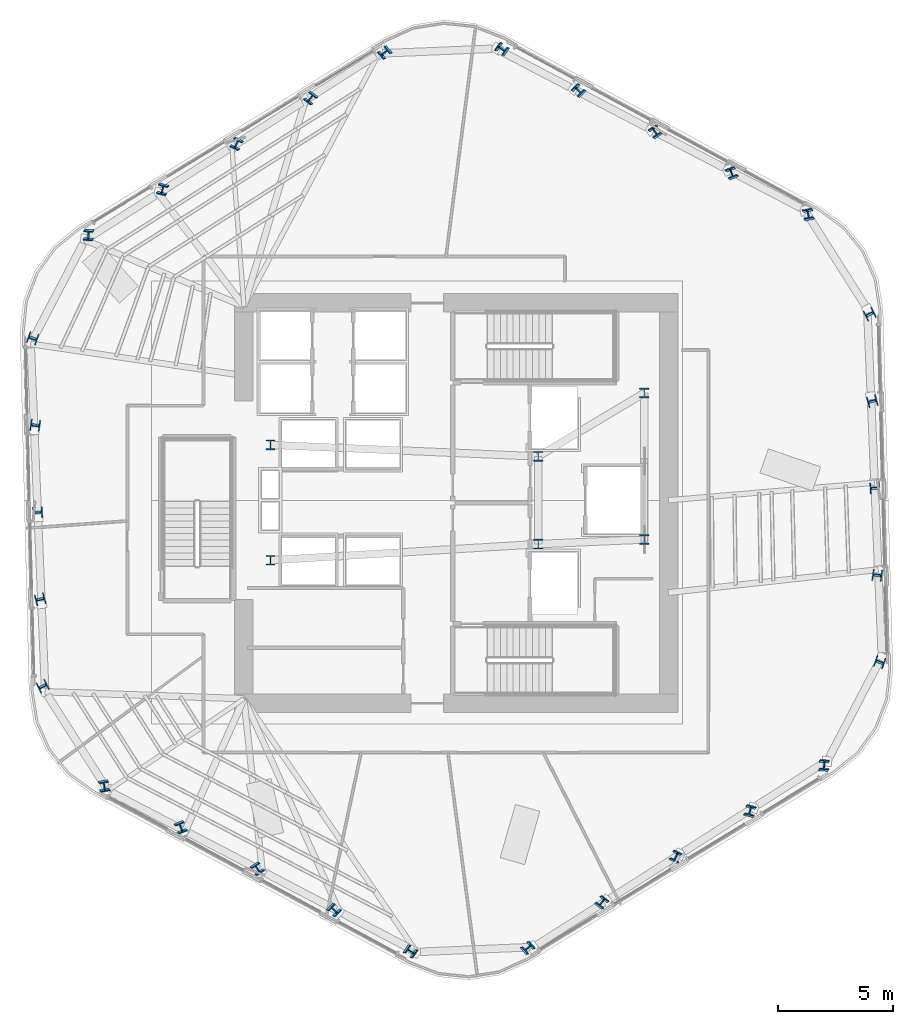
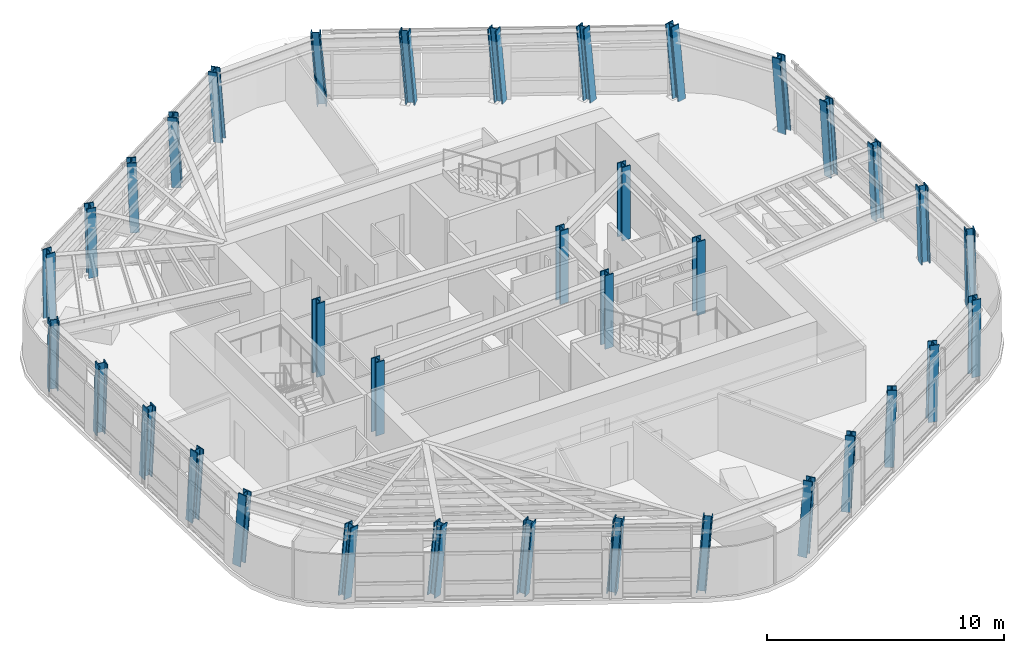
# One storey, part 1 of 15: 36 columns.
"""IFC4 building model written with IfcOpenShell, lengths in metres."""

from ifc_helpers import new_model, si_unit, direction, frame, origin, origin_2d, place, context, subcontext, project, spatial, i_section, extrude, material, material_profile, profile_set, type_object, element, save


model = new_model("IFC4")

# Units and contexts
model_context = context("Model", 3, precision=1e-05, world=origin(), true_north=direction((0.0, 1.0)))
body_context = subcontext(model_context, "Body", "Model", "MODEL_VIEW")
ifc_project = project(units=[si_unit("LENGTHUNIT", "METRE"), si_unit("AREAUNIT", "SQUARE_METRE"), si_unit("VOLUMEUNIT", "CUBIC_METRE"), si_unit("PLANEANGLEUNIT", "RADIAN"), si_unit("MASSUNIT", "GRAM", prefix="KILO")], contexts=[model_context])

# Site, building, storey
site_placement = place(None, origin())
site = spatial("IfcSite", under=ifc_project, at=site_placement, CompositionType="ELEMENT")
building_placement = place(site_placement, origin())
building = spatial("IfcBuilding", under=site, at=building_placement, Name="Valkerne Bourse Tower", CompositionType="ELEMENT")
storey_placement = place(building_placement, frame((0.0, 0.0, 159.0)))
storey = spatial("IfcBuildingStorey", under=building, at=storey_placement, Name="L40", CompositionType="ELEMENT", Elevation=159.0)

# Columns
ifc_material = material(Name="Steel ASTM A913 Grade 65", Category="steel")
ifc_material_profile_1 = material_profile(ifc_material, i_section(OverallWidth=0.406494140625, OverallDepth=0.41650390625, WebThickness=0.02978515625, FlangeThickness=0.048095703125, FilletRadius=0.025390625, at=origin_2d()), Name="W14X257")
ifc_profile_set_1 = profile_set([ifc_material_profile_1], Name="Steel ASTM A913 Grade 65")
column_type_1 = type_object("IfcColumnType", Name="COL-W14X257", PredefinedType="COLUMN", material=ifc_profile_set_1)
column_1_placement = place(storey_placement, frame((62.085205078125, 39.345947265625, 0.010009765625), z_axis=(-0.051613742207, 0.062876092439, 0.996685817404), x_axis=(0.981015040255, 0.190007479346, 0.038815571445)))
element("IfcColumn", 1, at=column_1_placement, inside=storey, type_object=column_type_1, Name="L40 Helical Perimeter Tube Column F1-C1", PredefinedType="COLUMN", context=body_context, shape_type="SweptSolid", body=[
    extrude(i_section(OverallWidth=0.406494140625, OverallDepth=0.41650390625, WebThickness=0.02978515625, FlangeThickness=0.048095703125, FilletRadius=0.025390625, at=origin_2d()), origin(), (0.0, 0.0, 1.0), 3.79345703125),
])
column_2_placement = place(storey_placement, frame((58.771240234375, 41.145263671875, 0.010009765625), z_axis=(-0.058971918545, 0.049121805513, 0.997050330247), x_axis=(0.928007660717, 0.370756791078, 0.036622172508)))
element("IfcColumn", 2, at=column_2_placement, inside=storey, type_object=column_type_1, Name="L40 Helical Perimeter Tube Column F1-C2", PredefinedType="COLUMN", context=body_context, shape_type="SweptSolid", body=[
    extrude(i_section(OverallWidth=0.406494140625, OverallDepth=0.41650390625, WebThickness=0.02978515625, FlangeThickness=0.048095703125, FilletRadius=0.025390625, at=origin_2d()), origin(), (0.0, 0.0, 1.0), 3.792236328125),
])
column_3_placement = place(storey_placement, frame((55.457275390625, 42.944580078125, 0.010009765625), z_axis=(-0.066319317395, 0.035348840048, 0.99717210533), x_axis=(0.833253819102, 0.551726545368, 0.035859337526)))
element("IfcColumn", 3, at=column_3_placement, inside=storey, type_object=column_type_1, Name="L40 Helical Perimeter Tube Column F1-C3", PredefinedType="COLUMN", context=body_context, shape_type="SweptSolid", body=[
    extrude(i_section(OverallWidth=0.406494140625, OverallDepth=0.41650390625, WebThickness=0.02978515625, FlangeThickness=0.048095703125, FilletRadius=0.025390625, at=origin_2d()), origin(), (0.0, 0.0, 1.0), 3.791748046875),
])
column_4_placement = place(storey_placement, frame((52.143310546875, 44.743896484375, 0.010009765625), z_axis=(-0.073714588833, 0.021567150445, 0.997046146081), x_axis=(0.703383394689, 0.709865280792, 0.036648099558)))
element("IfcColumn", 4, at=column_4_placement, inside=storey, type_object=column_type_1, Name="L40 Helical Perimeter Tube Column F1-C4", PredefinedType="COLUMN", context=body_context, shape_type="SweptSolid", body=[
    extrude(i_section(OverallWidth=0.406494140625, OverallDepth=0.41650390625, WebThickness=0.02978515625, FlangeThickness=0.048095703125, FilletRadius=0.025390625, at=origin_2d()), origin(), (0.0, 0.0, 1.0), 3.792236328125),
])
for number, where, z_axis, x_axis, name in (
    (5, (48.8291015625, 46.543212890625, 0.010009765625), (-0.080960297621, 0.007787119247, 0.9966869072), (0.557533346567, 0.829246895373, 0.038809199693), "L40 Helical Perimeter Tube Column F1-C5"),
    (6, (43.750732421875, 46.410400390625, 0.010009765625), (-0.080252337803, -0.013257403037, 0.996686411838), (-0.652773268869, 0.756360235859, -0.04250003601), "L40 Helical Perimeter Tube Column F2-C1"),
):
    element("IfcColumn", number, at=place(storey_placement, frame(where, z_axis=z_axis, x_axis=x_axis)), inside=storey, type_object=column_type_1, Name=name, PredefinedType="COLUMN", context=body_context, shape_type="SweptSolid", body=[
        extrude(i_section(OverallWidth=0.406494140625, OverallDepth=0.41650390625, WebThickness=0.02978515625, FlangeThickness=0.048095703125, FilletRadius=0.025390625, at=origin_2d()), origin(), (0.0, 0.0, 1.0), 3.79345703125),
    ])
column_5_placement = place(storey_placement, frame((40.535400390625, 44.43994140625, 0.010009765625), z_axis=(-0.072040921243, -0.026524450002, 0.997048925188), x_axis=(-0.783469942232, 0.620133785801, -0.040111561026)))
element("IfcColumn", 7, at=column_5_placement, inside=storey, type_object=column_type_1, Name="L40 Helical Perimeter Tube Column F2-C2", PredefinedType="COLUMN", context=body_context, shape_type="SweptSolid", body=[
    extrude(i_section(OverallWidth=0.406494140625, OverallDepth=0.41650390625, WebThickness=0.02978515625, FlangeThickness=0.048095703125, FilletRadius=0.025390625, at=origin_2d()), origin(), (0.0, 0.0, 1.0), 3.792236328125),
])
column_6_placement = place(storey_placement, frame((37.3203125, 42.469482421875, 0.010009765625), z_axis=(-0.063808135576, -0.039727164128, 0.997171135896), x_axis=(-0.892950541975, 0.448438320868, -0.039273425655)))
element("IfcColumn", 8, at=column_6_placement, inside=storey, type_object=column_type_1, Name="L40 Helical Perimeter Tube Column F2-C3", PredefinedType="COLUMN", context=body_context, shape_type="SweptSolid", body=[
    extrude(i_section(OverallWidth=0.406494140625, OverallDepth=0.41650390625, WebThickness=0.02978515625, FlangeThickness=0.048095703125, FilletRadius=0.025390625, at=origin_2d()), origin(), (0.0, 0.0, 1.0), 3.791748046875),
])
column_7_placement = place(storey_placement, frame((34.10498046875, 40.499267578125, 0.010009765625), z_axis=(-0.055559497734, -0.05304869772, 0.997045123293), x_axis=(-0.965598193154, 0.256922405229, -0.04013735254)))
element("IfcColumn", 9, at=column_7_placement, inside=storey, type_object=column_type_1, Name="L40 Helical Perimeter Tube Column F2-C4", PredefinedType="COLUMN", context=body_context, shape_type="SweptSolid", body=[
    extrude(i_section(OverallWidth=0.406494140625, OverallDepth=0.41650390625, WebThickness=0.02978515625, FlangeThickness=0.048095703125, FilletRadius=0.025390625, at=origin_2d()), origin(), (0.0, 0.0, 1.0), 3.792236328125),
])
column_8_placement = place(storey_placement, frame((30.8896484375, 38.529052734375, 0.010009765625), z_axis=(-0.047237326576, -0.066286711681, 0.996681848351), x_axis=(-0.996588863476, 0.07072411675, -0.042529242948)))
element("IfcColumn", 10, at=column_8_placement, inside=storey, type_object=column_type_1, Name="L40 Helical Perimeter Tube Column F2-C5", PredefinedType="COLUMN", context=body_context, shape_type="SweptSolid", body=[
    extrude(i_section(OverallWidth=0.406494140625, OverallDepth=0.41650390625, WebThickness=0.02978515625, FlangeThickness=0.048095703125, FilletRadius=0.025390625, at=origin_2d()), origin(), (0.0, 0.0, 1.0), 3.793701171875),
])
column_9_placement = place(storey_placement, frame((28.465576171875, 34.064453125, 0.010009765625), z_axis=(-0.028638560721, -0.076133522098, 0.996686269421), x_axis=(-0.326289213922, -0.941766108096, -0.081313876546)))
element("IfcColumn", 11, at=column_9_placement, inside=storey, type_object=column_type_1, Name="L40 Helical Perimeter Tube Column F3-C1", PredefinedType="COLUMN", context=body_context, shape_type="SweptSolid", body=[
    extrude(i_section(OverallWidth=0.406494140625, OverallDepth=0.41650390625, WebThickness=0.02978515625, FlangeThickness=0.048095703125, FilletRadius=0.025390625, at=origin_2d()), origin(), (0.0, 0.0, 1.0), 3.79345703125),
])
column_10_placement = place(storey_placement, frame((28.564208984375, 30.294921875, 0.010009765625), z_axis=(-0.013004655537, -0.075710271837, 0.997045050974), x_axis=(-0.142932260624, -0.986748826307, -0.076792725278)))
element("IfcColumn", 12, at=column_10_placement, inside=storey, type_object=column_type_1, Name="L40 Helical Perimeter Tube Column F3-C2", PredefinedType="COLUMN", context=body_context, shape_type="SweptSolid", body=[
    extrude(i_section(OverallWidth=0.406494140625, OverallDepth=0.41650390625, WebThickness=0.02978515625, FlangeThickness=0.048095703125, FilletRadius=0.025390625, at=origin_2d()), origin(), (0.0, 0.0, 1.0), 3.792236328125),
])
column_11_placement = place(storey_placement, frame((28.6630859375, 26.525146484375, 0.010009765625), z_axis=(0.002511114012, -0.07514025775, 0.997169813007), x_axis=(0.059456777581, -0.995397609378, -0.075156442466)))
element("IfcColumn", 13, at=column_11_placement, inside=storey, type_object=column_type_1, Name="L40 Helical Perimeter Tube Column F3-C3", PredefinedType="COLUMN", context=body_context, shape_type="SweptSolid", body=[
    extrude(i_section(OverallWidth=0.406494140625, OverallDepth=0.41650390625, WebThickness=0.02978515625, FlangeThickness=0.048095703125, FilletRadius=0.025390625, at=origin_2d()), origin(), (0.0, 0.0, 1.0), 3.791748046875),
])
column_12_placement = place(storey_placement, frame((28.76171875, 22.75537109375, 0.010009765625), z_axis=(0.018155050848, -0.074615971394, 0.99704706556), x_axis=(0.261071745205, -0.962262145008, -0.076766582179)))
element("IfcColumn", 14, at=column_12_placement, inside=storey, type_object=column_type_1, Name="L40 Helical Perimeter Tube Column F3-C4", PredefinedType="COLUMN", context=body_context, shape_type="SweptSolid", body=[
    extrude(i_section(OverallWidth=0.406494140625, OverallDepth=0.41650390625, WebThickness=0.02978515625, FlangeThickness=0.048095703125, FilletRadius=0.025390625, at=origin_2d()), origin(), (0.0, 0.0, 1.0), 3.792236328125),
])
column_13_placement = place(storey_placement, frame((28.8603515625, 18.985595703125, 0.010009765625), z_axis=(0.033787023269, -0.074009670018, 0.996685008316), x_axis=(0.437586676199, -0.895490615342, -0.081329322183)))
element("IfcColumn", 15, at=column_13_placement, inside=storey, type_object=column_type_1, Name="L40 Helical Perimeter Tube Column F3-C5", PredefinedType="COLUMN", context=body_context, shape_type="SweptSolid", body=[
    extrude(i_section(OverallWidth=0.406494140625, OverallDepth=0.41650390625, WebThickness=0.02978515625, FlangeThickness=0.048095703125, FilletRadius=0.025390625, at=origin_2d()), origin(), (0.0, 0.0, 1.0), 3.793701171875),
])
column_14_placement = place(storey_placement, frame((31.514892578125, 14.654052734375, 0.010009765625), z_axis=(0.051613742207, -0.062876092439, 0.996685817404), x_axis=(0.981015040255, 0.190007479346, -0.038815571445)))
element("IfcColumn", 16, at=column_14_placement, inside=storey, type_object=column_type_1, Name="L40 Helical Perimeter Tube Column F4-C1", PredefinedType="COLUMN", context=body_context, shape_type="SweptSolid", body=[
    extrude(i_section(OverallWidth=0.406494140625, OverallDepth=0.41650390625, WebThickness=0.02978515625, FlangeThickness=0.048095703125, FilletRadius=0.025390625, at=origin_2d()), origin(), (0.0, 0.0, 1.0), 3.79345703125),
])
column_15_placement = place(storey_placement, frame((34.828857421875, 12.854736328125, 0.010009765625), z_axis=(0.058971918545, -0.049121805513, 0.997050330247), x_axis=(0.928007660717, 0.370756791078, -0.036622172508)))
element("IfcColumn", 17, at=column_15_placement, inside=storey, type_object=column_type_1, Name="L40 Helical Perimeter Tube Column F4-C2", PredefinedType="COLUMN", context=body_context, shape_type="SweptSolid", body=[
    extrude(i_section(OverallWidth=0.406494140625, OverallDepth=0.41650390625, WebThickness=0.02978515625, FlangeThickness=0.048095703125, FilletRadius=0.025390625, at=origin_2d()), origin(), (0.0, 0.0, 1.0), 3.792236328125),
])
column_16_placement = place(storey_placement, frame((38.142822265625, 11.055419921875, 0.010009765625), z_axis=(0.066319317395, -0.035348840048, 0.99717210533), x_axis=(0.833253819102, 0.551726545368, -0.035859337526)))
element("IfcColumn", 18, at=column_16_placement, inside=storey, type_object=column_type_1, Name="L40 Helical Perimeter Tube Column F4-C3", PredefinedType="COLUMN", context=body_context, shape_type="SweptSolid", body=[
    extrude(i_section(OverallWidth=0.406494140625, OverallDepth=0.41650390625, WebThickness=0.02978515625, FlangeThickness=0.048095703125, FilletRadius=0.025390625, at=origin_2d()), origin(), (0.0, 0.0, 1.0), 3.791748046875),
])
column_17_placement = place(storey_placement, frame((41.456787109375, 9.256103515625, 0.010009765625), z_axis=(0.073650558652, -0.021567252752, 0.997050875743), x_axis=(0.703552761348, 0.709698933454, -0.036618791004)))
element("IfcColumn", 19, at=column_17_placement, inside=storey, type_object=column_type_1, Name="L40 Helical Perimeter Tube Column F4-C4", PredefinedType="COLUMN", context=body_context, shape_type="SweptSolid", body=[
    extrude(i_section(OverallWidth=0.406494140625, OverallDepth=0.41650390625, WebThickness=0.02978515625, FlangeThickness=0.048095703125, FilletRadius=0.025390625, at=origin_2d()), origin(), (0.0, 0.0, 1.0), 3.792236328125),
])
for number, where, z_axis, x_axis, name in (
    (20, (44.770751953125, 7.456787109375, 0.010009765625), (0.08102423165, -0.007787078657, 0.996681712129), (0.557468105369, 0.829289334145, -0.038839564488), "L40 Helical Perimeter Tube Column F4-C5"),
    (21, (49.84912109375, 7.589599609375, 0.010009765625), (0.08031627915, 0.013257334539, 0.996681262182), (-0.652673147631, 0.756444781107, 0.042532993048), "L40 Helical Perimeter Tube Column F5-C1"),
):
    element("IfcColumn", number, at=place(storey_placement, frame(where, z_axis=z_axis, x_axis=x_axis)), inside=storey, type_object=column_type_1, Name=name, PredefinedType="COLUMN", context=body_context, shape_type="SweptSolid", body=[
        extrude(i_section(OverallWidth=0.406494140625, OverallDepth=0.41650390625, WebThickness=0.02978515625, FlangeThickness=0.048095703125, FilletRadius=0.025390625, at=origin_2d()), origin(), (0.0, 0.0, 1.0), 3.793701171875),
    ])
column_18_placement = place(storey_placement, frame((53.064453125, 9.56005859375, 0.010009765625), z_axis=(0.072040921243, 0.026524450002, 0.997048925188), x_axis=(-0.783469942232, 0.620133785801, 0.040111561026)))
element("IfcColumn", 22, at=column_18_placement, inside=storey, type_object=column_type_1, Name="L40 Helical Perimeter Tube Column F5-C2", PredefinedType="COLUMN", context=body_context, shape_type="SweptSolid", body=[
    extrude(i_section(OverallWidth=0.406494140625, OverallDepth=0.41650390625, WebThickness=0.02978515625, FlangeThickness=0.048095703125, FilletRadius=0.025390625, at=origin_2d()), origin(), (0.0, 0.0, 1.0), 3.792236328125),
])
column_19_placement = place(storey_placement, frame((56.27978515625, 11.530517578125, 0.010009765625), z_axis=(0.06374400971, 0.039727327264, 0.997175230686), x_axis=(-0.893155446189, 0.448032561823, 0.039245031386)))
element("IfcColumn", 23, at=column_19_placement, inside=storey, type_object=column_type_1, Name="L40 Helical Perimeter Tube Column F5-C3", PredefinedType="COLUMN", context=body_context, shape_type="SweptSolid", body=[
    extrude(i_section(OverallWidth=0.406494140625, OverallDepth=0.41650390625, WebThickness=0.02978515625, FlangeThickness=0.048095703125, FilletRadius=0.025390625, at=origin_2d()), origin(), (0.0, 0.0, 1.0), 3.791748046875),
])
column_20_placement = place(storey_placement, frame((59.4951171875, 13.500732421875, 0.010009765625), z_axis=(0.055495316632, 0.053048887361, 0.997048687568), x_axis=(-0.965748162815, 0.256361891339, 0.040113173493)))
element("IfcColumn", 24, at=column_20_placement, inside=storey, type_object=column_type_1, Name="L40 Helical Perimeter Tube Column F5-C4", PredefinedType="COLUMN", context=body_context, shape_type="SweptSolid", body=[
    extrude(i_section(OverallWidth=0.406494140625, OverallDepth=0.41650390625, WebThickness=0.02978515625, FlangeThickness=0.048095703125, FilletRadius=0.025390625, at=origin_2d()), origin(), (0.0, 0.0, 1.0), 3.792236328125),
])
column_21_placement = place(storey_placement, frame((62.71044921875, 15.470947265625, 0.010009765625), z_axis=(0.047237326576, 0.066286711681, 0.996681848351), x_axis=(-0.996588863476, 0.07072411675, 0.042529242948)))
element("IfcColumn", 25, at=column_21_placement, inside=storey, type_object=column_type_1, Name="L40 Helical Perimeter Tube Column F5-C5", PredefinedType="COLUMN", context=body_context, shape_type="SweptSolid", body=[
    extrude(i_section(OverallWidth=0.406494140625, OverallDepth=0.41650390625, WebThickness=0.02978515625, FlangeThickness=0.048095703125, FilletRadius=0.025390625, at=origin_2d()), origin(), (0.0, 0.0, 1.0), 3.793701171875),
])
column_22_placement = place(storey_placement, frame((65.134521484375, 19.935546875, 0.010009765625), z_axis=(0.028638560721, 0.076133522098, 0.996686269421), x_axis=(-0.326289213922, -0.941766108096, 0.081313876546)))
element("IfcColumn", 26, at=column_22_placement, inside=storey, type_object=column_type_1, Name="L40 Helical Perimeter Tube Column F6-C1", PredefinedType="COLUMN", context=body_context, shape_type="SweptSolid", body=[
    extrude(i_section(OverallWidth=0.406494140625, OverallDepth=0.41650390625, WebThickness=0.02978515625, FlangeThickness=0.048095703125, FilletRadius=0.025390625, at=origin_2d()), origin(), (0.0, 0.0, 1.0), 3.79345703125),
])
column_23_placement = place(storey_placement, frame((65.03564453125, 23.705078125, 0.010009765625), z_axis=(0.013069024051, 0.075710208293, 0.99704421415), x_axis=(-0.143746978918, -0.986629624448, 0.076803582041)))
element("IfcColumn", 27, at=column_23_placement, inside=storey, type_object=column_type_1, Name="L40 Helical Perimeter Tube Column F6-C2", PredefinedType="COLUMN", context=body_context, shape_type="SweptSolid", body=[
    extrude(i_section(OverallWidth=0.406494140625, OverallDepth=0.41650390625, WebThickness=0.02978515625, FlangeThickness=0.048095703125, FilletRadius=0.025390625, at=origin_2d()), origin(), (0.0, 0.0, 1.0), 3.792236328125),
])
column_24_placement = place(storey_placement, frame((64.93701171875, 27.474853515625, 0.010009765625), z_axis=(-0.002575501129, 0.075140245446, 0.997169649713), x_axis=(0.060308728235, -0.995346191541, 0.07515860752)))
element("IfcColumn", 28, at=column_24_placement, inside=storey, type_object=column_type_1, Name="L40 Helical Perimeter Tube Column F6-C3", PredefinedType="COLUMN", context=body_context, shape_type="SweptSolid", body=[
    extrude(i_section(OverallWidth=0.406494140625, OverallDepth=0.41650390625, WebThickness=0.02978515625, FlangeThickness=0.048095703125, FilletRadius=0.025390625, at=origin_2d()), origin(), (0.0, 0.0, 1.0), 3.791748046875),
])
column_25_placement = place(storey_placement, frame((64.83837890625, 31.24462890625, 0.010009765625), z_axis=(-0.018219409128, 0.074615884028, 0.997045898132), x_axis=(0.261855073485, -0.962048068438, 0.07678173288)))
element("IfcColumn", 29, at=column_25_placement, inside=storey, type_object=column_type_1, Name="L40 Helical Perimeter Tube Column F6-C4", PredefinedType="COLUMN", context=body_context, shape_type="SweptSolid", body=[
    extrude(i_section(OverallWidth=0.406494140625, OverallDepth=0.41650390625, WebThickness=0.02978515625, FlangeThickness=0.048095703125, FilletRadius=0.025390625, at=origin_2d()), origin(), (0.0, 0.0, 1.0), 3.792236328125),
])
column_26_placement = place(storey_placement, frame((64.739501953125, 35.014404296875, 0.010009765625), z_axis=(-0.033722740291, 0.074009830792, 0.996687173457), x_axis=(0.436942859657, -0.895807340739, 0.08130280237)))
element("IfcColumn", 30, at=column_26_placement, inside=storey, type_object=column_type_1, Name="L40 Helical Perimeter Tube Column F6-C5", PredefinedType="COLUMN", context=body_context, shape_type="SweptSolid", body=[
    extrude(i_section(OverallWidth=0.406494140625, OverallDepth=0.41650390625, WebThickness=0.02978515625, FlangeThickness=0.048095703125, FilletRadius=0.025390625, at=origin_2d()), origin(), (0.0, 0.0, 1.0), 3.79345703125),
])
ifc_material_profile_2 = material_profile(ifc_material, i_section(OverallWidth=0.408935546875, OverallDepth=0.42431640625, WebThickness=0.03271484375, FlangeThickness=0.052490234375, FilletRadius=0.025390625, at=origin_2d()), Name="W14X283")
ifc_profile_set_2 = profile_set([ifc_material_profile_2], Name="Steel ASTM A913 Grade 65")
column_type_2 = type_object("IfcColumnType", Name="COL-W14X283", PredefinedType="COLUMN", material=ifc_profile_set_2)
for number, where, z_axis, x_axis, name in (
    (31, (38.75, 24.39990234375, 0.0048828125), (0.0, 0.0, 1.0), (1.0, 0.0, 0.0), "L40 Core Frame Column CC-SW"),
    (32, (38.75, 29.39990234375, 0.0048828125), (0.0, 0.0, 1.0), (1.0, 0.0, 0.0), "L40 Core Frame Column CC-NW"),
    (33, (50.35009765625, 25.10009765625, 0.0048828125), (0.0, 0.0, 1.0), (1.0, 0.0, 0.0), "L40 Core Frame Column CC-CE1"),
    (34, (50.35009765625, 28.89990234375, 0.0048828125), (0.0, 0.0, 1.0), (1.0, 0.0, 0.0), "L40 Core Frame Column CC-CE2"),
    (35, (54.949951171875, 25.300048828125, 0.0048828125), (0.0, 0.0, 1.0), (1.0, 0.0, 0.0), "L40 Core Frame Column CC-SE"),
    (36, (54.949951171875, 31.64990234375, 0.0048828125), (0.0, 0.0, 1.0), (1.0, 0.0, 0.0), "L40 Core Frame Column CC-NE"),
):
    element("IfcColumn", number, at=place(storey_placement, frame(where, z_axis=z_axis, x_axis=x_axis)), inside=storey, type_object=column_type_2, Name=name, PredefinedType="COLUMN", context=body_context, shape_type="SweptSolid", body=[
        extrude(i_section(OverallWidth=0.408935546875, OverallDepth=0.42431640625, WebThickness=0.03271484375, FlangeThickness=0.052490234375, FilletRadius=0.025390625, at=origin_2d()), origin(), (0.0, 0.0, 1.0), 3.795166015625),
    ])

save(model, "model.ifc")
